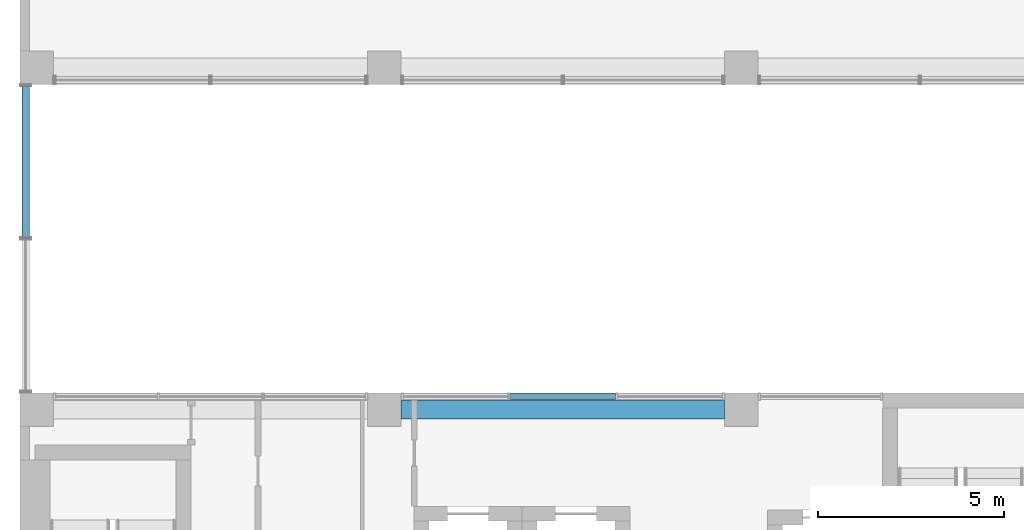
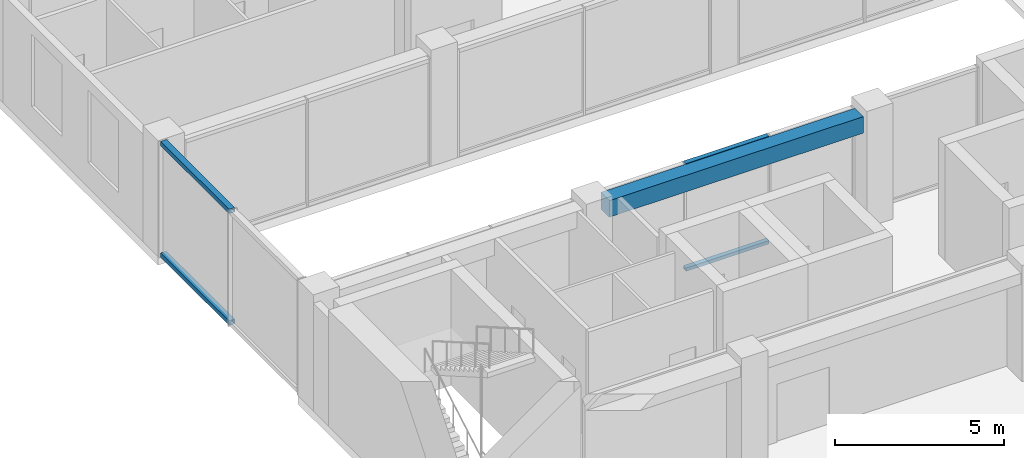
# One storey, part 7 of 38: 4 members, 1 beam, 2 elements without a shape of their own.
"""IFC4 building model written with IfcOpenShell, lengths in metres."""

from ifc_helpers import new_model, si_unit, direction, frame, origin, origin_2d, place, context, subcontext, project, spatial, rectangle, hollow_rectangle, extrude, material, layer, layer_set, material_profile, profile_set, type_object, element, aggregate, save


model = new_model("IFC4")

# Units and contexts
model_context = context("Model", 3, precision=1e-05, world=origin(), true_north=direction((0.0, 1.0)))
body_context = subcontext(model_context, "Body", "Model", "MODEL_VIEW")
ifc_project = project(units=[si_unit("LENGTHUNIT", "METRE"), si_unit("AREAUNIT", "SQUARE_METRE"), si_unit("VOLUMEUNIT", "CUBIC_METRE"), si_unit("PLANEANGLEUNIT", "RADIAN"), si_unit("MASSUNIT", "GRAM", prefix="KILO")], contexts=[model_context])

# Site, building, storey
site_placement = place(None, origin())
site = spatial("IfcSite", under=ifc_project, at=site_placement, CompositionType="ELEMENT")
building_placement = place(site_placement, origin())
building = spatial("IfcBuilding", under=site, at=building_placement, Name="Nzadi Deep Aquarium and Research Tower", CompositionType="ELEMENT")
storey_placement = place(building_placement, frame((0.0, 0.0, 65.5)))
storey = spatial("IfcBuildingStorey", under=building, at=storey_placement, Name="L13", CompositionType="ELEMENT", Elevation=65.5)

# Beam
ifc_material_1 = material(Name="Concrete C35/45", Category="concrete")
ifc_material_profile_1 = material_profile(ifc_material_1, rectangle(XDim=0.5, YDim=0.60009765625, at=origin_2d()))
ifc_profile_set_1 = profile_set([ifc_material_profile_1], Name="Concrete C35/45")
beam_type = type_object("IfcBeamType", Name="RC 500x600", PredefinedType="BEAM", material=ifc_profile_set_1)
beam_placement = place(storey_placement, frame((10.050048828125, 18.39990234375, 3.60009765625), z_axis=(1.0, 0.0, 0.0), x_axis=(0.0, 1.0, 0.0)))
element("IfcBeam", 1, at=beam_placement, inside=storey, type_object=beam_type, Name="B-Z1-L13-L3-2", PredefinedType="BEAM", context=body_context, shape_type="SweptSolid", body=[
    extrude(rectangle(XDim=0.5, YDim=0.60009765625, at=origin_2d()), origin(), (0.0, 0.0, 1.0), 8.699951171875),
])

# Curtain wall, members
ifc_material_2 = material(Name="Aluminium unitised frame", Category="aluminium")
ifc_layer_1 = layer(ifc_material_2, 0.199951171875)
ifc_layer_set_1 = layer_set([ifc_layer_1], Name="Aluminium unitised frame")
curtain_wall_type_1 = type_object("IfcCurtainWallType", Name="Curtain wall Unitised 200", PredefinedType="NOTDEFINED", material=ifc_layer_set_1)
curtain_wall_1_placement = place(storey_placement, origin())
curtain_wall_1 = element("IfcCurtainWall", 2, at=curtain_wall_1_placement, inside=storey, type_object=curtain_wall_type_1, Name="Unitised curtain wall blade A north L13", PredefinedType="NOTDEFINED")
ifc_material_3 = material(Name="Aluminium unitised frame", Category="aluminium")
ifc_material_profile_2 = material_profile(ifc_material_3, hollow_rectangle(XDim=0.159912109375, YDim=0.1201171875, WallThickness=0.0048828125, at=origin_2d()))
ifc_profile_set_2 = profile_set([ifc_material_profile_2], Name="Aluminium unitised frame")
member_type_1 = type_object("IfcMemberType", Name="Transom 120x160 Unitised", PredefinedType="MULLION", material=ifc_profile_set_2)
member_1_placement = place(storey_placement, frame((12.97998046875, 18.75, 0.06005859375), z_axis=(1.0, 0.0, 0.0), x_axis=(0.0, 1.0, 0.0)))
member_1 = element("IfcMember", 3, at=member_1_placement, type_object=member_type_1, Name="CW059 transom 2.1", PredefinedType="MULLION", context=body_context, shape_type="SweptSolid", body=[
    extrude(hollow_rectangle(XDim=0.159912109375, YDim=0.1201171875, WallThickness=0.0048828125, at=origin_2d()), origin(), (0.0, 0.0, 1.0), 2.840087890625),
])
member_2_placement = place(storey_placement, frame((12.97998046875, 18.75, 3.840087890625), z_axis=(1.0, 0.0, 0.0), x_axis=(0.0, 1.0, 0.0)))
member_2 = element("IfcMember", 4, at=member_2_placement, type_object=member_type_1, Name="CW059 transom 2.2", PredefinedType="MULLION", context=body_context, shape_type="SweptSolid", body=[
    extrude(hollow_rectangle(XDim=0.159912109375, YDim=0.1201171875, WallThickness=0.0048828125, at=origin_2d()), origin(), (0.0, 0.0, 1.0), 2.840087890625),
])
aggregate(curtain_wall_1, [member_1, member_2])

ifc_material_4 = material(Name="Aluminium unitised frame wind post", Category="aluminium")
ifc_layer_2 = layer(ifc_material_4, 0.300048828125)
ifc_layer_set_2 = layer_set([ifc_layer_2], Name="Aluminium unitised frame wind post")
curtain_wall_type_2 = type_object("IfcCurtainWallType", Name="Curtain wall Slot End 300", PredefinedType="NOTDEFINED", material=ifc_layer_set_2)
curtain_wall_2_placement = place(storey_placement, origin())
curtain_wall_2 = element("IfcCurtainWall", 5, at=curtain_wall_2_placement, inside=storey, type_object=curtain_wall_type_2, Name="Glazed slot end west L13", PredefinedType="NOTDEFINED")
ifc_material_5 = material(Name="Aluminium unitised frame wind post", Category="aluminium")
ifc_material_profile_3 = material_profile(ifc_material_5, hollow_rectangle(XDim=0.199951171875, YDim=0.159912109375, WallThickness=0.0048828125, at=origin_2d()))
ifc_profile_set_3 = profile_set([ifc_material_profile_3], Name="Aluminium unitised frame wind post")
member_type_2 = type_object("IfcMemberType", Name="Transom 160x200 Slot End", PredefinedType="MULLION", material=ifc_profile_set_3)
member_3_placement = place(storey_placement, frame((-0.050048828125, 23.030029296875, 0.080078125), z_axis=(0.0, 1.0, 0.0), x_axis=(-1.0, 0.0, 0.0)))
member_3 = element("IfcMember", 6, at=member_3_placement, type_object=member_type_2, Name="CW217 transom 2.1", PredefinedType="MULLION", context=body_context, shape_type="SweptSolid", body=[
    extrude(hollow_rectangle(XDim=0.199951171875, YDim=0.159912109375, WallThickness=0.0048828125, at=origin_2d()), origin(), (0.0, 0.0, 1.0), 4.06005859375),
])
member_4_placement = place(storey_placement, frame((-0.050048828125, 23.030029296875, 4.1201171875), z_axis=(0.0, 1.0, 0.0), x_axis=(-1.0, 0.0, 0.0)))
member_4 = element("IfcMember", 7, at=member_4_placement, type_object=member_type_2, Name="CW217 transom 2.2", PredefinedType="MULLION", context=body_context, shape_type="SweptSolid", body=[
    extrude(hollow_rectangle(XDim=0.199951171875, YDim=0.159912109375, WallThickness=0.0048828125, at=origin_2d()), origin(), (0.0, 0.0, 1.0), 4.06005859375),
])
aggregate(curtain_wall_2, [member_3, member_4])

save(model, "model.ifc")
